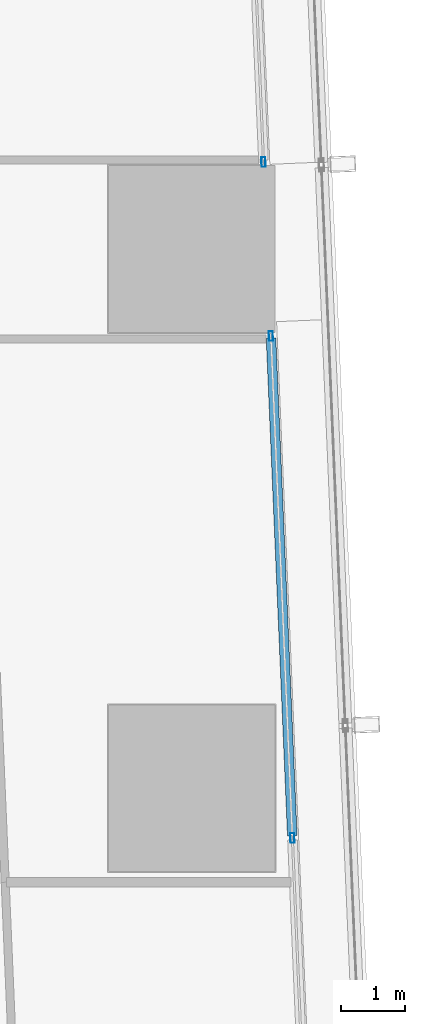
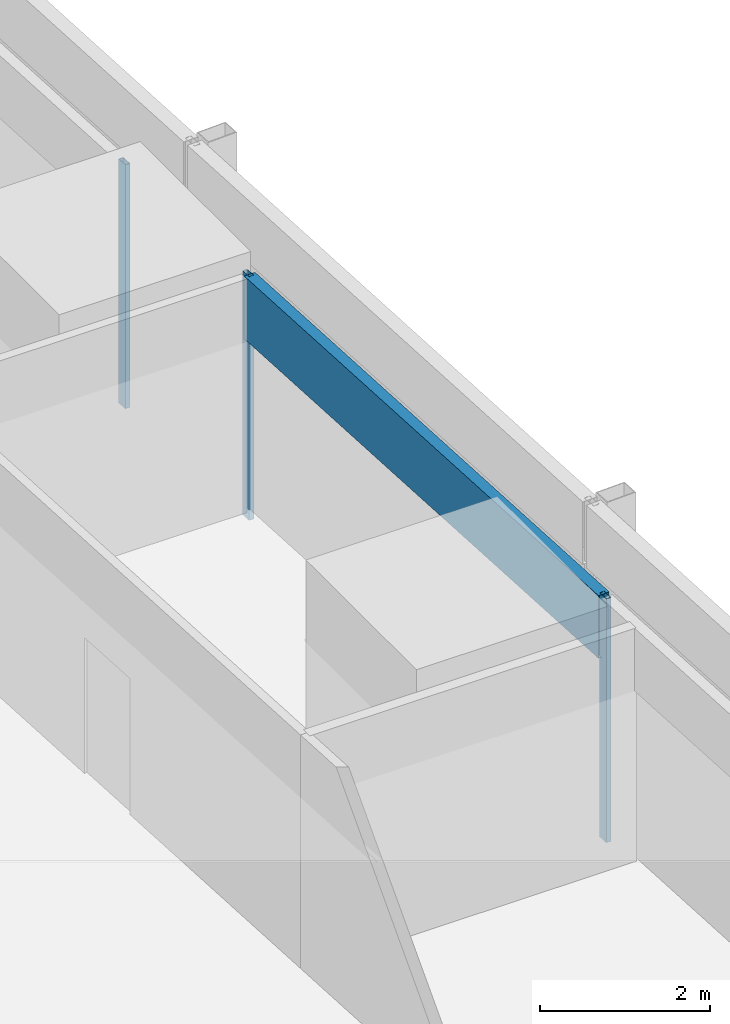
# One storey, part 20 of 46: 4 members, 2 elements without a shape of their own.
"""IFC4 building model written with IfcOpenShell, lengths in metres."""

from ifc_helpers import new_model, si_unit, direction, frame, origin, origin_2d, place, context, subcontext, project, spatial, hollow_rectangle, extrude, material, material_profile, profile_set, type_object, element, aggregate, save


model = new_model("IFC4")

# Units and contexts
model_context = context("Model", 3, precision=1e-05, world=origin(), true_north=direction((0.0, 1.0)))
body_context = subcontext(model_context, "Body", "Model", "MODEL_VIEW")
ifc_project = project(units=[si_unit("LENGTHUNIT", "METRE"), si_unit("AREAUNIT", "SQUARE_METRE"), si_unit("VOLUMEUNIT", "CUBIC_METRE"), si_unit("PLANEANGLEUNIT", "RADIAN"), si_unit("MASSUNIT", "GRAM", prefix="KILO")], contexts=[model_context])

# Site, building, storey
site_placement = place(None, origin())
site = spatial("IfcSite", under=ifc_project, at=site_placement, CompositionType="ELEMENT")
building_placement = place(site_placement, origin())
building = spatial("IfcBuilding", under=site, at=building_placement, Name="Rekha Terrace Tower", CompositionType="ELEMENT")
storey_placement = place(building_placement, frame((0.0, 0.0, 29.14990234375)))
storey = spatial("IfcBuildingStorey", under=building, at=storey_placement, Name="L06", CompositionType="ELEMENT", Elevation=29.14990234375)

# Curtain wall, members
ifc_material_1 = material(Name="Aluminium framing", Category="aluminium")
curtain_wall_type = type_object("IfcCurtainWallType", Name="CW1 double skin inner glazing", PredefinedType="USERDEFINED", material=ifc_material_1)
curtain_wall_1_placement = place(storey_placement, origin())
curtain_wall_1 = element("IfcCurtainWall", 1, at=curtain_wall_1_placement, inside=storey, type_object=curtain_wall_type, Name="CW1 double skin inner glazing", ObjectType="DOUBLE SKIN INNER GLAZING", PredefinedType="USERDEFINED")
ifc_material_2 = material(Name="Aluminium mullion section", Category="aluminium")
ifc_material_profile_1 = material_profile(ifc_material_2, hollow_rectangle(XDim=0.06494140625, YDim=0.14990234375, WallThickness=0.00390625, at=origin_2d()), Name="AL RHS 65x150")
ifc_profile_set_1 = profile_set([ifc_material_profile_1], Name="Aluminium mullion section")
member_type_1 = type_object("IfcMemberType", Name="CW1 mullion RHS 65 x 150", PredefinedType="MULLION", material=ifc_profile_set_1)
member_1_placement = place(storey_placement, frame((68.76708984375, 41.224609375, 0.0), z_axis=(0.0, 0.0, 1.0), x_axis=(-0.999088106903, -0.042696072939, 0.0)))
member_1 = element("IfcMember", 2, at=member_1_placement, type_object=member_type_1, Name="CW1 mullion 3", PredefinedType="MULLION", context=body_context, shape_type="SweptSolid", body=[
    extrude(hollow_rectangle(XDim=0.06494140625, YDim=0.14990234375, WallThickness=0.00390625, at=origin_2d()), origin(), (0.0, 0.0, 1.0), 3.5),
])
member_2_placement = place(storey_placement, frame((68.432861328125, 49.044677734375, 0.0), z_axis=(0.0, 0.0, 1.0), x_axis=(-0.999088106903, -0.042696072939, 0.0)))
member_2 = element("IfcMember", 3, at=member_2_placement, type_object=member_type_1, Name="CW1 mullion 4", PredefinedType="MULLION", context=body_context, shape_type="SweptSolid", body=[
    extrude(hollow_rectangle(XDim=0.06494140625, YDim=0.14990234375, WallThickness=0.00390625, at=origin_2d()), origin(), (0.0, 0.0, 1.0), 3.5),
])

# Curtain wall, member
curtain_wall_2_placement = place(storey_placement, origin())
curtain_wall_2 = element("IfcCurtainWall", 4, at=curtain_wall_2_placement, inside=storey, type_object=curtain_wall_type, Name="CW1 double skin inner glazing", ObjectType="DOUBLE SKIN INNER GLAZING", PredefinedType="USERDEFINED")
member_3_placement = place(storey_placement, frame((68.31689453125, 51.756591796875, 0.0), z_axis=(0.0, 0.0, 1.0), x_axis=(-0.999088106906, -0.042696072869, 0.0)))
member_3 = element("IfcMember", 5, at=member_3_placement, type_object=member_type_1, Name="CW1 mullion 1", PredefinedType="MULLION", context=body_context, shape_type="SweptSolid", body=[
    extrude(hollow_rectangle(XDim=0.06494140625, YDim=0.14990234375, WallThickness=0.00390625, at=origin_2d()), origin(), (0.0, 0.0, 1.0), 3.5),
])
aggregate(curtain_wall_2, [member_3])

# Member
ifc_material_3 = material(Name="Insulated aluminium spandrel box", Category="aluminium")
ifc_material_profile_2 = material_profile(ifc_material_3, hollow_rectangle(XDim=0.14990234375, YDim=0.89990234375, WallThickness=0.0029296875, at=origin_2d()), Name="AL SPANDREL BOX 150x900")
ifc_profile_set_2 = profile_set([ifc_material_profile_2], Name="Insulated aluminium spandrel box")
member_type_2 = type_object("IfcMemberType", Name="CW1 spandrel transom 150 x 900", PredefinedType="USERDEFINED", material=ifc_profile_set_2)
member_4_placement = place(storey_placement, frame((68.765625, 41.257080078125, 3.050048828125), z_axis=(-0.042681046194, 0.999088748959, 0.0), x_axis=(-0.999088748959, -0.042681046194, 0.0)))
member_4 = element("IfcMember", 6, at=member_4_placement, type_object=member_type_2, Name="CW1 spandrel transom 3", ObjectType="TRANSOM", PredefinedType="USERDEFINED", context=body_context, shape_type="SweptSolid", body=[
    extrude(hollow_rectangle(XDim=0.14990234375, YDim=0.89990234375, WallThickness=0.0029296875, at=origin_2d()), origin(), (0.0, 0.0, 1.0), 7.76220703125),
])

aggregate(curtain_wall_1, [member_1, member_2, member_4])

save(model, "model.ifc")
